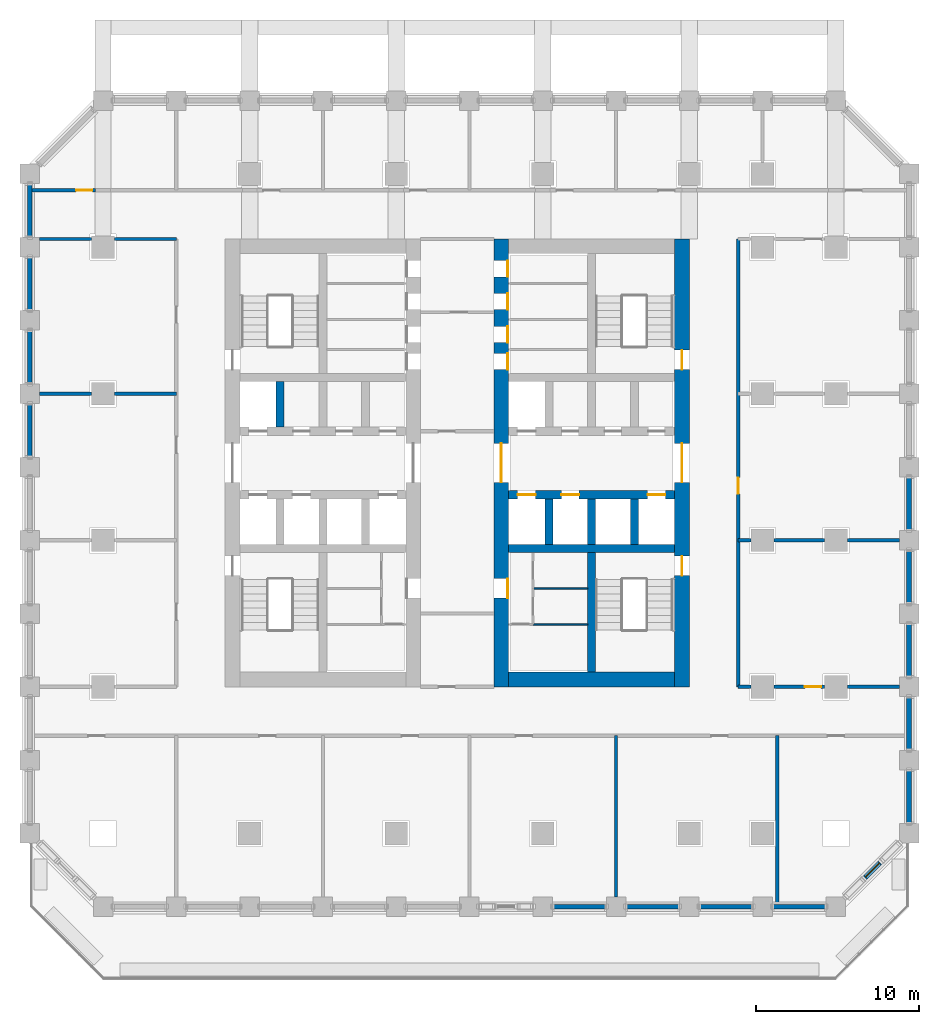
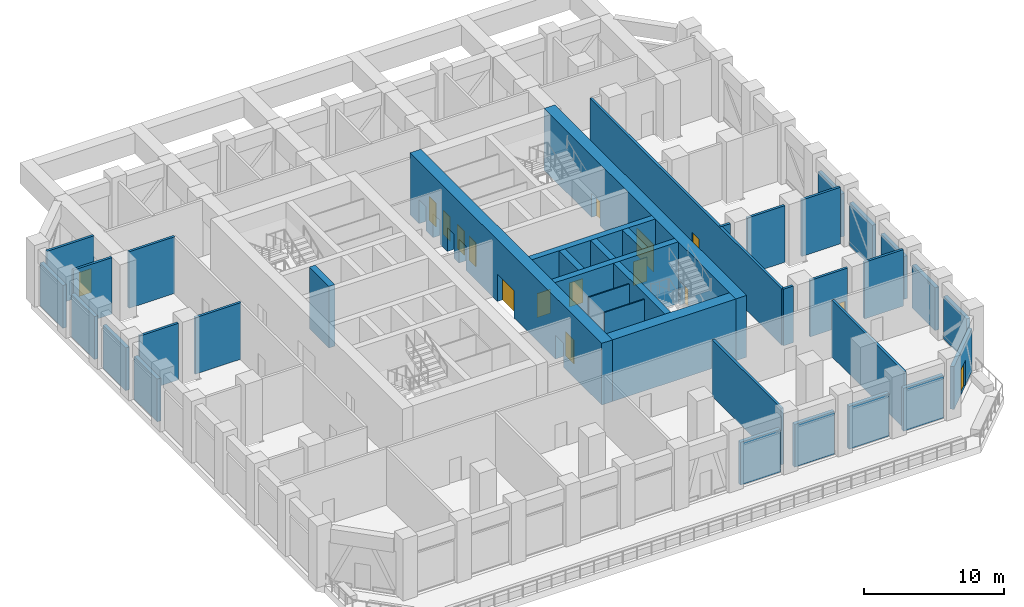
# One storey, part 5 of 20: 40 walls, 16 doors, 16 openings.
"""IFC4 building model written with IfcOpenShell, lengths in metres."""

from ifc_helpers import new_model, si_unit, direction, frame, frame_2d, origin, place, context, subcontext, project, spatial, rectangle, extrude, material, layer, layer_set, type_object, element, fill, save


model = new_model("IFC4")

# Units and contexts
model_context = context("Model", 3, precision=1e-05, world=origin(), true_north=direction((0.0, 1.0)))
body_context = subcontext(model_context, "Body", "Model", "MODEL_VIEW")
ifc_project = project(units=[si_unit("LENGTHUNIT", "METRE"), si_unit("AREAUNIT", "SQUARE_METRE"), si_unit("VOLUMEUNIT", "CUBIC_METRE"), si_unit("PLANEANGLEUNIT", "RADIAN"), si_unit("MASSUNIT", "GRAM", prefix="KILO")], contexts=[model_context])

# Site, building, storey
site_placement = place(None, origin())
site = spatial("IfcSite", under=ifc_project, at=site_placement, CompositionType="ELEMENT")
building_placement = place(site_placement, origin())
building = spatial("IfcBuilding", under=site, at=building_placement, Name="Corbel Stack Research Tower", CompositionType="ELEMENT")
storey_placement = place(building_placement, frame((0.0, 0.0, 76.60009765625)))
storey = spatial("IfcBuildingStorey", under=building, at=storey_placement, Name="L17", CompositionType="ELEMENT", Elevation=76.60009765625)

# Walls
ifc_material_1 = material(Name="Concrete C70/85", Category="concrete")
ifc_layer_1 = layer(ifc_material_1, 0.5)
ifc_layer_set_1 = layer_set([ifc_layer_1], Name="Concrete C70/85")
wall_type_1 = type_object("IfcWallType", Name="CW-500-70", PredefinedType="SHEAR", material=ifc_layer_set_1)
wall_1_placement = place(storey_placement, frame((-7.125, 6.949951171875, 0.0), z_axis=(0.0, 0.0, 1.0), x_axis=(0.0, 1.0, 0.0)))
element("IfcWall", 1, at=wall_1_placement, inside=storey, type_object=wall_type_1, Name="West core wall, north shaft 1 L17", PredefinedType="SHEAR", context=body_context, shape_type="SweptSolid", body=[
    extrude(rectangle(XDim=2.800048828125, YDim=0.5, at=frame_2d((1.39990234375, 0.0))), origin(), (0.0, 0.0, 1.0), 5.39990234375),
])
wall_2_placement = place(storey_placement, frame((6.89990234375, -0.5, 0.0), z_axis=(0.0, 0.0, 1.0), x_axis=(1.0, 0.0, 0.0)))
element("IfcWall", 2, at=wall_2_placement, inside=storey, type_object=wall_type_1, Name="East core wall, south row back L17", PredefinedType="SHEAR", context=body_context, shape_type="SweptSolid", body=[
    extrude(rectangle(XDim=10.2001953125, YDim=0.5, at=frame_2d((5.10009765625, 0.0))), origin(), (0.0, 0.0, 1.0), 5.39990234375),
])

# Wall, openings, doors
wall_3_placement = place(storey_placement, frame((6.89990234375, 2.800048828125, 0.0), z_axis=(0.0, 0.0, 1.0), x_axis=(1.0, 0.0, 0.0)))
wall_3 = element("IfcWall", 3, at=wall_3_placement, inside=storey, type_object=wall_type_1, Name="East core wall, lobby south L17", PredefinedType="SHEAR", context=body_context, shape_type="SweptSolid", body=[
    extrude(rectangle(XDim=10.2001953125, YDim=0.5, at=frame_2d((5.10009765625, 0.0))), origin(), (0.0, 0.0, 1.0), 5.39990234375),
])
opening_1_placement = place(wall_3_placement, frame((0.5625, 0.0, 0.0)))
opening_1 = element("IfcOpeningElement", 4, at=opening_1_placement, cuts=wall_3, Name="Opening LD-FS2", PredefinedType="OPENING", context=body_context, shape_type="SweptSolid", body=[
    extrude(rectangle(XDim=1.10009765625, YDim=2.10009765625, at=frame_2d((0.550048828125, 1.050048828125))), frame((0.0, 0.260009765625, 0.0), z_axis=(0.0, -1.0, 0.0), x_axis=(1.0, 0.0, 0.0)), (0.0, 0.0, 1.0), 0.52001953125),
])
opening_2_placement = place(wall_3_placement, frame((3.237548828125, 0.0, 0.0)))
opening_2 = element("IfcOpeningElement", 5, at=opening_2_placement, cuts=wall_3, Name="Opening LD-GL2", PredefinedType="OPENING", context=body_context, shape_type="SweptSolid", body=[
    extrude(rectangle(XDim=1.10009765625, YDim=2.10009765625, at=frame_2d((0.550048828125, 1.050048828125))), frame((0.0, 0.260009765625, 0.0), z_axis=(0.0, -1.0, 0.0), x_axis=(1.0, 0.0, 0.0)), (0.0, 0.0, 1.0), 0.52001953125),
])
opening_3_placement = place(wall_3_placement, frame((8.53759765625, 0.0, 0.0)))
opening_3 = element("IfcOpeningElement", 6, at=opening_3_placement, cuts=wall_3, Name="Opening LD-LR3", PredefinedType="OPENING", context=body_context, shape_type="SweptSolid", body=[
    extrude(rectangle(XDim=1.10009765625, YDim=2.10009765625, at=frame_2d((0.550048828125, 1.050048828125))), frame((0.0, 0.260009765625, 0.0), z_axis=(0.0, -1.0, 0.0), x_axis=(1.0, 0.0, 0.0)), (0.0, 0.0, 1.0), 0.52001953125),
])
ifc_material_2 = material(Name="Stainless steel landing door", Category="steel")
door_type_1 = type_object("IfcDoorType", Name="Lift landing door 1100 x 2100", OperationType="DOUBLE_DOOR_SLIDING", PredefinedType="DOOR", material=ifc_material_2)
door_1_placement = place(opening_1_placement, origin())
door_1 = element("IfcDoor", 7, at=door_1_placement, inside=storey, type_object=door_type_1, Name="Landing door FS2", OperationType="DOUBLE_DOOR_SLIDING", OverallHeight=2.10009765625, OverallWidth=1.10009765625, PredefinedType="DOOR", context=body_context, shape_type="SweptSolid", body=[
    extrude(rectangle(XDim=1.10009765625, YDim=2.10009765625, at=frame_2d((0.550048828125, 1.050048828125))), frame((0.0, 0.02490234375, 0.0), z_axis=(0.0, -1.0, 0.0), x_axis=(1.0, 0.0, 0.0)), (0.0, 0.0, 1.0), 0.050048828125),
])
fill(opening_1, door_1)
door_2_placement = place(opening_2_placement, origin())
door_2 = element("IfcDoor", 8, at=door_2_placement, inside=storey, type_object=door_type_1, Name="Landing door GL2", OperationType="DOUBLE_DOOR_SLIDING", OverallHeight=2.10009765625, OverallWidth=1.10009765625, PredefinedType="DOOR", context=body_context, shape_type="SweptSolid", body=[
    extrude(rectangle(XDim=1.10009765625, YDim=2.10009765625, at=frame_2d((0.550048828125, 1.050048828125))), frame((0.0, 0.02490234375, 0.0), z_axis=(0.0, -1.0, 0.0), x_axis=(1.0, 0.0, 0.0)), (0.0, 0.0, 1.0), 0.050048828125),
])
fill(opening_2, door_2)
door_3_placement = place(opening_3_placement, origin())
door_3 = element("IfcDoor", 9, at=door_3_placement, inside=storey, type_object=door_type_1, Name="Landing door LR3", OperationType="DOUBLE_DOOR_SLIDING", OverallHeight=2.10009765625, OverallWidth=1.10009765625, PredefinedType="DOOR", context=body_context, shape_type="SweptSolid", body=[
    extrude(rectangle(XDim=1.10009765625, YDim=2.10009765625, at=frame_2d((0.550048828125, 1.050048828125))), frame((0.0, 0.02490234375, 0.0), z_axis=(0.0, -1.0, 0.0), x_axis=(1.0, 0.0, 0.0)), (0.0, 0.0, 1.0), 0.050048828125),
])
fill(opening_3, door_3)

# Walls
for number, where, z_axis, x_axis, name in (
    (10, (9.375, -0.25, 0.0), (0.0, 0.0, 1.0), (0.0, 1.0, 0.0), "East core wall, south shaft 1 L17"),
    (11, (12.0, -0.25, 0.0), (0.0, 0.0, 1.0), (0.0, 1.0, 0.0), "East core wall, south shaft 2 L17"),
    (12, (14.625, -0.25, 0.0), (0.0, 0.0, 1.0), (0.0, 1.0, 0.0), "East core wall, south shaft 3 L17"),
):
    element("IfcWall", number, at=place(storey_placement, frame(where, z_axis=z_axis, x_axis=x_axis)), inside=storey, type_object=wall_type_1, Name=name, PredefinedType="SHEAR", context=body_context, shape_type="SweptSolid", body=[
        extrude(rectangle(XDim=2.800048828125, YDim=0.5, at=frame_2d((1.39990234375, 0.0))), origin(), (0.0, 0.0, 1.0), 5.39990234375),
    ])
wall_4_placement = place(storey_placement, frame((12.0, -8.10009765625, 0.0), z_axis=(0.0, 0.0, 1.0), x_axis=(0.0, 1.0, 0.0)))
element("IfcWall", 13, at=wall_4_placement, inside=storey, type_object=wall_type_1, Name="East core wall, south stair and WC L17", PredefinedType="SHEAR", context=body_context, shape_type="SweptSolid", body=[
    extrude(rectangle(XDim=7.35009765625, YDim=0.5, at=frame_2d((3.675048828125, 0.0))), origin(), (0.0, 0.0, 1.0), 5.39990234375),
])

# Wall, openings, doors
ifc_material_3 = material(Name="Concrete C70/85", Category="concrete")
ifc_layer_2 = layer(ifc_material_3, 0.89990234375)
ifc_layer_set_2 = layer_set([ifc_layer_2], Name="Concrete C70/85")
wall_type_2 = type_object("IfcWallType", Name="CW-900-70", PredefinedType="SHEAR", material=ifc_layer_set_2)
wall_5_placement = place(storey_placement, frame((6.449951171875, -9.0, 0.0), z_axis=(0.0, 0.0, 1.0), x_axis=(0.0, 1.0, 0.0)))
wall_5 = element("IfcWall", 14, at=wall_5_placement, inside=storey, type_object=wall_type_2, Name="East core wall, west face L17", PredefinedType="SHEAR", context=body_context, shape_type="SweptSolid", body=[
    extrude(rectangle(XDim=27.5, YDim=0.89990234375, at=frame_2d((13.75, 0.0))), origin(), (0.0, 0.0, 1.0), 5.39990234375),
])
opening_4_placement = place(wall_5_placement, frame((12.550048828125, 0.0, 0.0)))
opening_4 = element("IfcOpeningElement", 15, at=opening_4_placement, cuts=wall_5, Name="Opening CD-E-W", PredefinedType="OPENING", context=body_context, shape_type="SweptSolid", body=[
    extrude(rectangle(XDim=2.39990234375, YDim=2.39990234375, at=frame_2d((1.199951171875, 1.199951171875))), frame((0.0, 0.4599609375, 0.0), z_axis=(0.0, -1.0, 0.0), x_axis=(1.0, 0.0, 0.0)), (0.0, 0.0, 1.0), 0.919921875),
])
opening_5_placement = place(wall_5_placement, frame((5.445068359375, 0.0, 0.0)))
opening_5 = element("IfcOpeningElement", 16, at=opening_5_placement, cuts=wall_5, Name="Opening CR-E66-W1-1200", PredefinedType="OPENING", context=body_context, shape_type="SweptSolid", body=[
    extrude(rectangle(XDim=1.199951171875, YDim=2.10009765625, at=frame_2d((0.60009765625, 1.050048828125))), frame((0.0, 0.4599609375, 0.0), z_axis=(0.0, -1.0, 0.0), x_axis=(1.0, 0.0, 0.0)), (0.0, 0.0, 1.0), 0.919921875),
])
opening_6_placement = place(wall_5_placement, frame((19.485107421875, 0.0, 0.0)))
opening_6 = element("IfcOpeningElement", 17, at=opening_6_placement, cuts=wall_5, Name="Opening CR-E66-R1-1000", PredefinedType="OPENING", context=body_context, shape_type="SweptSolid", body=[
    extrude(rectangle(XDim=1.0, YDim=2.10009765625, at=frame_2d((0.5, 1.050048828125))), frame((0.0, 0.4599609375, 0.0), z_axis=(0.0, -1.0, 0.0), x_axis=(1.0, 0.0, 0.0)), (0.0, 0.0, 1.0), 0.919921875),
])
opening_7_placement = place(wall_5_placement, frame((21.138916015625, 0.0, 0.0)))
opening_7 = element("IfcOpeningElement", 18, at=opening_7_placement, cuts=wall_5, Name="Opening CR-E66-R2-1000", PredefinedType="OPENING", context=body_context, shape_type="SweptSolid", body=[
    extrude(rectangle(XDim=1.0, YDim=2.10009765625, at=frame_2d((0.5, 1.050048828125))), frame((0.0, 0.4599609375, 0.0), z_axis=(0.0, -1.0, 0.0), x_axis=(1.0, 0.0, 0.0)), (0.0, 0.0, 1.0), 0.919921875),
])
opening_8_placement = place(wall_5_placement, frame((23.159912109375, 0.0, 0.0)))
opening_8 = element("IfcOpeningElement", 19, at=opening_8_placement, cuts=wall_5, Name="Opening CR-E66-R3-1000", PredefinedType="OPENING", context=body_context, shape_type="SweptSolid", body=[
    extrude(rectangle(XDim=1.0, YDim=2.10009765625, at=frame_2d((0.5, 1.050048828125))), frame((0.0, 0.4599609375, 0.0), z_axis=(0.0, -1.0, 0.0), x_axis=(1.0, 0.0, 0.0)), (0.0, 0.0, 1.0), 0.919921875),
])
opening_9_placement = place(wall_5_placement, frame((25.18115234375, 0.0, 0.0)))
opening_9 = element("IfcOpeningElement", 20, at=opening_9_placement, cuts=wall_5, Name="Opening CR-E66-R4-1000", PredefinedType="OPENING", context=body_context, shape_type="SweptSolid", body=[
    extrude(rectangle(XDim=1.0, YDim=2.10009765625, at=frame_2d((0.5, 1.050048828125))), frame((0.0, 0.4599609375, 0.0), z_axis=(0.0, -1.0, 0.0), x_axis=(1.0, 0.0, 0.0)), (0.0, 0.0, 1.0), 0.919921875),
])
ifc_material_4 = material(Name="Painted steel fire door", Category="steel")
door_type_2 = type_object("IfcDoorType", Name="Lobby door pair 2400 x 2400 FD30S", OperationType="DOUBLE_DOOR_DOUBLE_SWING", PredefinedType="DOOR", material=ifc_material_4)
door_4_placement = place(opening_4_placement, origin())
door_4 = element("IfcDoor", 21, at=door_4_placement, inside=storey, type_object=door_type_2, Name="Lift lobby door E core W", OperationType="DOUBLE_DOOR_DOUBLE_SWING", OverallHeight=2.39990234375, OverallWidth=2.39990234375, PredefinedType="DOOR", context=body_context, shape_type="SweptSolid", body=[
    extrude(rectangle(XDim=2.39990234375, YDim=2.39990234375, at=frame_2d((1.199951171875, 1.199951171875))), frame((0.0, 0.02490234375, 0.0), z_axis=(0.0, -1.0, 0.0), x_axis=(1.0, 0.0, 0.0)), (0.0, 0.0, 1.0), 0.050048828125),
])
fill(opening_4, door_4)
ifc_material_5 = material(Name="Painted steel door", Category="steel")
door_type_3 = type_object("IfcDoorType", Name="Riser door 1000 x 2100 FD60 left hand", OperationType="SINGLE_SWING_LEFT", PredefinedType="DOOR", material=ifc_material_5)
door_5_placement = place(opening_7_placement, origin())
door_5 = element("IfcDoor", 22, at=door_5_placement, inside=storey, type_object=door_type_3, Name="Telecom plant room door E core", OperationType="SINGLE_SWING_LEFT", OverallHeight=2.10009765625, OverallWidth=1.0, PredefinedType="DOOR", context=body_context, shape_type="SweptSolid", body=[
    extrude(rectangle(XDim=1.0, YDim=2.10009765625, at=frame_2d((0.5, 1.050048828125))), frame((0.0, -0.375, 0.0), z_axis=(0.0, -1.0, 0.0), x_axis=(1.0, 0.0, 0.0)), (0.0, 0.0, 1.0), 0.050048828125),
])
fill(opening_7, door_5)
ifc_material_6 = material(Name="Painted steel door", Category="steel")
door_type_4 = type_object("IfcDoorType", Name="Riser door 1000 x 2100 FD60 right hand", OperationType="SINGLE_SWING_RIGHT", PredefinedType="DOOR", material=ifc_material_6)
door_6_placement = place(opening_6_placement, origin())
door_6 = element("IfcDoor", 23, at=door_6_placement, inside=storey, type_object=door_type_4, Name="Electrical plant riser door E core", OperationType="SINGLE_SWING_RIGHT", OverallHeight=2.10009765625, OverallWidth=1.0, PredefinedType="DOOR", context=body_context, shape_type="SweptSolid", body=[
    extrude(rectangle(XDim=1.0, YDim=2.10009765625, at=frame_2d((0.5, 1.050048828125))), frame((0.0, -0.375, 0.0), z_axis=(0.0, -1.0, 0.0), x_axis=(1.0, 0.0, 0.0)), (0.0, 0.0, 1.0), 0.050048828125),
])
fill(opening_6, door_6)
ifc_material_7 = material(Name="Painted steel door", Category="steel")
door_type_5 = type_object("IfcDoorType", Name="Service door 1000 x 2100 FD30 left hand", OperationType="SINGLE_SWING_LEFT", PredefinedType="DOOR", material=ifc_material_7)
door_7_placement = place(opening_9_placement, origin())
door_7 = element("IfcDoor", 24, at=door_7_placement, inside=storey, type_object=door_type_5, Name="Cleaner's store door E core", OperationType="SINGLE_SWING_LEFT", OverallHeight=2.10009765625, OverallWidth=1.0, PredefinedType="DOOR", context=body_context, shape_type="SweptSolid", body=[
    extrude(rectangle(XDim=1.0, YDim=2.10009765625, at=frame_2d((0.5, 1.050048828125))), frame((0.0, -0.375, 0.0), z_axis=(0.0, -1.0, 0.0), x_axis=(1.0, 0.0, 0.0)), (0.0, 0.0, 1.0), 0.050048828125),
])
fill(opening_9, door_7)
ifc_material_8 = material(Name="Painted steel door", Category="steel")
door_type_6 = type_object("IfcDoorType", Name="Service door 1000 x 2100 FD30 right hand", OperationType="SINGLE_SWING_RIGHT", PredefinedType="DOOR", material=ifc_material_8)
door_8_placement = place(opening_8_placement, origin())
door_8 = element("IfcDoor", 25, at=door_8_placement, inside=storey, type_object=door_type_6, Name="Pantry door E core", OperationType="SINGLE_SWING_RIGHT", OverallHeight=2.10009765625, OverallWidth=1.0, PredefinedType="DOOR", context=body_context, shape_type="SweptSolid", body=[
    extrude(rectangle(XDim=1.0, YDim=2.10009765625, at=frame_2d((0.5, 1.050048828125))), frame((0.0, -0.375, 0.0), z_axis=(0.0, -1.0, 0.0), x_axis=(1.0, 0.0, 0.0)), (0.0, 0.0, 1.0), 0.050048828125),
])
fill(opening_8, door_8)
ifc_material_9 = material(Name="Painted timber door", Category="wood")
door_type_7 = type_object("IfcDoorType", Name="WC door 1200 x 2100 right hand", OperationType="SINGLE_SWING_RIGHT", PredefinedType="DOOR", material=ifc_material_9)
door_9_placement = place(opening_5_placement, origin())
door_9 = element("IfcDoor", 26, at=door_9_placement, inside=storey, type_object=door_type_7, Name="WC lobby door E core", OperationType="SINGLE_SWING_RIGHT", OverallHeight=2.10009765625, OverallWidth=1.199951171875, PredefinedType="DOOR", context=body_context, shape_type="SweptSolid", body=[
    extrude(rectangle(XDim=1.199951171875, YDim=2.10009765625, at=frame_2d((0.60009765625, 1.050048828125))), frame((0.0, -0.375, 0.0), z_axis=(0.0, -1.0, 0.0), x_axis=(1.0, 0.0, 0.0)), (0.0, 0.0, 1.0), 0.050048828125),
])
fill(opening_5, door_9)

wall_6_placement = place(storey_placement, frame((17.550048828125, -9.0, 0.0), z_axis=(0.0, 0.0, 1.0), x_axis=(0.0, 1.0, 0.0)))
wall_6 = element("IfcWall", 27, at=wall_6_placement, inside=storey, type_object=wall_type_2, Name="East core wall, east face L17", PredefinedType="SHEAR", context=body_context, shape_type="SweptSolid", body=[
    extrude(rectangle(XDim=27.5, YDim=0.89990234375, at=frame_2d((13.75, 0.0))), origin(), (0.0, 0.0, 1.0), 5.39990234375),
])
opening_10_placement = place(wall_6_placement, frame((12.550048828125, 0.0, 0.0)))
opening_10 = element("IfcOpeningElement", 28, at=opening_10_placement, cuts=wall_6, Name="Opening CD-E-E", PredefinedType="OPENING", context=body_context, shape_type="SweptSolid", body=[
    extrude(rectangle(XDim=2.39990234375, YDim=2.39990234375, at=frame_2d((1.199951171875, 1.199951171875))), frame((0.0, 0.4599609375, 0.0), z_axis=(0.0, -1.0, 0.0), x_axis=(1.0, 0.0, 0.0)), (0.0, 0.0, 1.0), 0.919921875),
])
opening_11_placement = place(wall_6_placement, frame((6.824951171875, 0.0, 0.0)))
opening_11 = element("IfcOpeningElement", 29, at=opening_11_placement, cuts=wall_6, Name="Opening SD-ST-E1", PredefinedType="OPENING", context=body_context, shape_type="SweptSolid", body=[
    extrude(rectangle(XDim=1.199951171875, YDim=2.10009765625, at=frame_2d((0.60009765625, 1.050048828125))), frame((0.0, 0.4599609375, 0.0), z_axis=(0.0, -1.0, 0.0), x_axis=(1.0, 0.0, 0.0)), (0.0, 0.0, 1.0), 0.919921875),
])
opening_12_placement = place(wall_6_placement, frame((19.47509765625, 0.0, 0.0)))
opening_12 = element("IfcOpeningElement", 30, at=opening_12_placement, cuts=wall_6, Name="Opening SD-ST-E2", PredefinedType="OPENING", context=body_context, shape_type="SweptSolid", body=[
    extrude(rectangle(XDim=1.199951171875, YDim=2.10009765625, at=frame_2d((0.60009765625, 1.050048828125))), frame((0.0, 0.4599609375, 0.0), z_axis=(0.0, -1.0, 0.0), x_axis=(1.0, 0.0, 0.0)), (0.0, 0.0, 1.0), 0.919921875),
])
door_10_placement = place(opening_10_placement, origin())
door_10 = element("IfcDoor", 31, at=door_10_placement, inside=storey, type_object=door_type_2, Name="Lift lobby door E core E", OperationType="DOUBLE_DOOR_DOUBLE_SWING", OverallHeight=2.39990234375, OverallWidth=2.39990234375, PredefinedType="DOOR", context=body_context, shape_type="SweptSolid", body=[
    extrude(rectangle(XDim=2.39990234375, YDim=2.39990234375, at=frame_2d((1.199951171875, 1.199951171875))), frame((0.0, 0.02490234375, 0.0), z_axis=(0.0, -1.0, 0.0), x_axis=(1.0, 0.0, 0.0)), (0.0, 0.0, 1.0), 0.050048828125),
])
fill(opening_10, door_10)
ifc_material_10 = material(Name="Painted steel fire door", Category="steel")
door_type_8 = type_object("IfcDoorType", Name="Stair door 1200 x 2100 FD90 right hand", OperationType="SINGLE_SWING_RIGHT", PredefinedType="DOOR", material=ifc_material_10)
door_11_placement = place(opening_11_placement, frame((1.199951171875, 0.0, 0.0), z_axis=(0.0, 0.0, 1.0), x_axis=(-1.0, 0.0, 0.0)))
door_11 = element("IfcDoor", 32, at=door_11_placement, inside=storey, type_object=door_type_8, Name="Stair door ST-E1", OperationType="SINGLE_SWING_LEFT", OverallHeight=2.10009765625, OverallWidth=1.199951171875, PredefinedType="DOOR", context=body_context, shape_type="SweptSolid", body=[
    extrude(rectangle(XDim=1.199951171875, YDim=2.10009765625, at=frame_2d((0.60009765625, 1.050048828125))), frame((0.0, 0.02490234375, 0.0), z_axis=(0.0, -1.0, 0.0), x_axis=(1.0, 0.0, 0.0)), (0.0, 0.0, 1.0), 0.050048828125),
])
fill(opening_11, door_11)
door_12_placement = place(opening_12_placement, frame((1.199951171875, 0.0, 0.0), z_axis=(0.0, 0.0, 1.0), x_axis=(-1.0, 0.0, 0.0)))
door_12 = element("IfcDoor", 33, at=door_12_placement, inside=storey, type_object=door_type_8, Name="Stair door ST-E2", OperationType="SINGLE_SWING_LEFT", OverallHeight=2.10009765625, OverallWidth=1.199951171875, PredefinedType="DOOR", context=body_context, shape_type="SweptSolid", body=[
    extrude(rectangle(XDim=1.199951171875, YDim=2.10009765625, at=frame_2d((0.60009765625, 1.050048828125))), frame((0.0, 0.02490234375, 0.0), z_axis=(0.0, -1.0, 0.0), x_axis=(1.0, 0.0, 0.0)), (0.0, 0.0, 1.0), 0.050048828125),
])
fill(opening_12, door_12)

# Walls
wall_7_placement = place(storey_placement, frame((6.89990234375, -8.550048828125, 0.0), z_axis=(0.0, 0.0, 1.0), x_axis=(1.0, 0.0, 0.0)))
element("IfcWall", 34, at=wall_7_placement, inside=storey, type_object=wall_type_2, Name="East core wall, south end L17", PredefinedType="SHEAR", context=body_context, shape_type="SweptSolid", body=[
    extrude(rectangle(XDim=10.2001953125, YDim=0.89990234375, at=frame_2d((5.10009765625, 0.0))), origin(), (0.0, 0.0, 1.0), 5.39990234375),
])
ifc_material_11 = material(Name="Gypsum board")
ifc_layer_3 = layer(ifc_material_11, 0.10009765625)
ifc_layer_set_3 = layer_set([ifc_layer_3], Name="Gypsum board")
wall_type_3 = type_object("IfcWallType", Name="Core partition 100", PredefinedType="PARTITIONING", material=ifc_layer_set_3)
for number, where, z_axis, x_axis, name in (
    (35, (8.39990234375, -5.159912109375, 0.0), (0.0, 0.0, 1.0), (1.0, 0.0, 0.0), "Core partition E"),
    (36, (8.39990234375, -2.955078125, 0.0), (0.0, 0.0, 1.0), (1.0, 0.0, 0.0), "Core partition E"),
):
    element("IfcWall", number, at=place(storey_placement, frame(where, z_axis=z_axis, x_axis=x_axis)), inside=storey, type_object=wall_type_3, Name=name, PredefinedType="PARTITIONING", context=body_context, shape_type="SweptSolid", body=[
        extrude(rectangle(XDim=3.35009765625, YDim=0.10009765625, at=frame_2d((1.675048828125, 0.0))), origin(), (0.0, 0.0, 1.0), 4.949951171875),
    ])
ifc_material_12 = material(Name="Fire-rated gypsum board partition on steel studs", Category="steel")
ifc_layer_4 = layer(ifc_material_12, 0.199951171875)
ifc_layer_set_4 = layer_set([ifc_layer_4], Name="Fire-rated gypsum board partition on steel studs")
wall_type_4 = type_object("IfcWallType", Name="Fire-rated partition 200 EI 60", PredefinedType="PARTITIONING", material=ifc_layer_set_4)
wall_8_placement = place(storey_placement, frame((13.5, -21.89990234375, 0.0), z_axis=(0.0, 0.0, 1.0), x_axis=(0.0, 1.0, 0.0)))
element("IfcWall", 37, at=wall_8_placement, inside=storey, type_object=wall_type_4, Name="Partition L17-008", PredefinedType="PARTITIONING", context=body_context, shape_type="SweptSolid", body=[
    extrude(rectangle(XDim=9.89990234375, YDim=0.199951171875, at=frame_2d((4.949951171875, 0.0))), origin(), (0.0, 0.0, 1.0), 4.949951171875),
])

# Wall, opening, door
wall_9_placement = place(storey_placement, frame((21.0, 18.5, 0.0), z_axis=(0.0, 0.0, 1.0), x_axis=(0.0, -1.0, 0.0)))
wall_9 = element("IfcWall", 38, at=wall_9_placement, inside=storey, type_object=wall_type_4, Name="Partition L17-010", PredefinedType="PARTITIONING", context=body_context, shape_type="SweptSolid", body=[
    extrude(rectangle(XDim=27.5, YDim=0.199951171875, at=frame_2d((13.75, 0.0))), origin(), (0.0, 0.0, 1.0), 4.949951171875),
])
opening_13_placement = place(wall_9_placement, frame((14.64990234375, 0.0, 0.0)))
opening_13 = element("IfcOpeningElement", 39, at=opening_13_placement, cuts=wall_9, Name="Opening PLANTL17-015", PredefinedType="OPENING", context=body_context, shape_type="SweptSolid", body=[
    extrude(rectangle(XDim=1.0, YDim=2.10009765625, at=frame_2d((0.5, 1.050048828125))), frame((0.0, 0.10986328125, 0.0), z_axis=(0.0, -1.0, 0.0), x_axis=(1.0, 0.0, 0.0)), (0.0, 0.0, 1.0), 0.219970703125),
])
ifc_material_13 = material(Name="Painted steel fire door", Category="steel")
door_type_9 = type_object("IfcDoorType", Name="Fire door FD30S 1000 x 2100", OperationType="NOTDEFINED", PredefinedType="DOOR", material=ifc_material_13)
door_13_placement = place(opening_13_placement, origin())
door_13 = element("IfcDoor", 40, at=door_13_placement, inside=storey, type_object=door_type_9, Name="Door PLANTL17-015", OperationType="SINGLE_SWING_RIGHT", OverallHeight=2.10009765625, OverallWidth=1.0, PredefinedType="DOOR", context=body_context, shape_type="SweptSolid", body=[
    extrude(rectangle(XDim=1.0, YDim=2.10009765625, at=frame_2d((0.5, 1.050048828125))), frame((0.0, 0.02490234375, 0.0), z_axis=(0.0, -1.0, 0.0), x_axis=(1.0, 0.0, 0.0)), (0.0, 0.0, 1.0), 0.050048828125),
])
fill(opening_13, door_13)

# Walls
wall_10_placement = place(storey_placement, frame((23.39990234375, -22.35009765625, 0.0), z_axis=(0.0, 0.0, 1.0), x_axis=(0.0, 1.0, 0.0)))
element("IfcWall", 41, at=wall_10_placement, inside=storey, type_object=wall_type_4, Name="Partition L17-012", PredefinedType="PARTITIONING", context=body_context, shape_type="SweptSolid", body=[
    extrude(rectangle(XDim=10.35009765625, YDim=0.199951171875, at=frame_2d((5.175048828125, 0.0))), origin(), (0.0, 0.0, 1.0), 4.949951171875),
])
wall_11_placement = place(storey_placement, frame((21.0, -9.0, 0.0), z_axis=(0.0, 0.0, 1.0), x_axis=(1.0, 0.0, 0.0)))
element("IfcWall", 42, at=wall_11_placement, inside=storey, type_object=wall_type_4, Name="Partition L17-017", PredefinedType="PARTITIONING", context=body_context, shape_type="SweptSolid", body=[
    extrude(rectangle(XDim=0.800048828125, YDim=0.199951171875, at=frame_2d((0.39990234375, 0.0))), origin(), (0.0, 0.0, 1.0), 4.949951171875),
])

# Wall, opening, door
wall_12_placement = place(storey_placement, frame((23.199951171875, -9.0, 0.0), z_axis=(0.0, 0.0, 1.0), x_axis=(1.0, 0.0, 0.0)))
wall_12 = element("IfcWall", 43, at=wall_12_placement, inside=storey, type_object=wall_type_4, Name="Partition L17-018", PredefinedType="PARTITIONING", context=body_context, shape_type="SweptSolid", body=[
    extrude(rectangle(XDim=3.10009765625, YDim=0.199951171875, at=frame_2d((1.550048828125, 0.0))), origin(), (0.0, 0.0, 1.0), 4.949951171875),
])
opening_14_placement = place(wall_12_placement, frame((1.89990234375, 0.0, 0.0)))
opening_14 = element("IfcOpeningElement", 44, at=opening_14_placement, cuts=wall_12, Name="Opening PLANTL17-011", PredefinedType="OPENING", context=body_context, shape_type="SweptSolid", body=[
    extrude(rectangle(XDim=1.0, YDim=2.10009765625, at=frame_2d((0.5, 1.050048828125))), frame((0.0, 0.10986328125, 0.0), z_axis=(0.0, -1.0, 0.0), x_axis=(1.0, 0.0, 0.0)), (0.0, 0.0, 1.0), 0.219970703125),
])
door_14_placement = place(opening_14_placement, origin())
door_14 = element("IfcDoor", 45, at=door_14_placement, inside=storey, type_object=door_type_9, Name="Door PLANTL17-011", OperationType="SINGLE_SWING_RIGHT", OverallHeight=2.10009765625, OverallWidth=1.0, PredefinedType="DOOR", context=body_context, shape_type="SweptSolid", body=[
    extrude(rectangle(XDim=1.0, YDim=2.10009765625, at=frame_2d((0.5, 1.050048828125))), frame((0.0, 0.02490234375, 0.0), z_axis=(0.0, -1.0, 0.0), x_axis=(1.0, 0.0, 0.0)), (0.0, 0.0, 1.0), 0.050048828125),
])
fill(opening_14, door_14)

# Walls
wall_13_placement = place(storey_placement, frame((27.699951171875, -9.0, 0.0), z_axis=(0.0, 0.0, 1.0), x_axis=(1.0, 0.0, 0.0)))
element("IfcWall", 46, at=wall_13_placement, inside=storey, type_object=wall_type_4, Name="Partition L17-019", PredefinedType="PARTITIONING", context=body_context, shape_type="SweptSolid", body=[
    extrude(rectangle(XDim=3.199951171875, YDim=0.199951171875, at=frame_2d((1.60009765625, 0.0))), origin(), (0.0, 0.0, 1.0), 4.949951171875),
])
wall_14_placement = place(storey_placement, frame((21.0, 0.0, 0.0), z_axis=(0.0, 0.0, 1.0), x_axis=(1.0, 0.0, 0.0)))
element("IfcWall", 47, at=wall_14_placement, inside=storey, type_object=wall_type_4, Name="Partition L17-023", PredefinedType="PARTITIONING", context=body_context, shape_type="SweptSolid", body=[
    extrude(rectangle(XDim=0.800048828125, YDim=0.199951171875, at=frame_2d((0.39990234375, 0.0))), origin(), (0.0, 0.0, 1.0), 4.949951171875),
])
wall_15_placement = place(storey_placement, frame((23.199951171875, 0.0, 0.0), z_axis=(0.0, 0.0, 1.0), x_axis=(1.0, 0.0, 0.0)))
element("IfcWall", 48, at=wall_15_placement, inside=storey, type_object=wall_type_4, Name="Partition L17-024", PredefinedType="PARTITIONING", context=body_context, shape_type="SweptSolid", body=[
    extrude(rectangle(XDim=3.10009765625, YDim=0.199951171875, at=frame_2d((1.550048828125, 0.0))), origin(), (0.0, 0.0, 1.0), 4.949951171875),
])
for number, where, z_axis, x_axis, name in (
    (49, (27.699951171875, 0.0, 0.0), (0.0, 0.0, 1.0), (1.0, 0.0, 0.0), "Partition L17-025"),
    (50, (-21.89990234375, 9.0, 0.0), (0.0, 0.0, 1.0), (1.0, 0.0, 0.0), "Partition L17-027"),
):
    element("IfcWall", number, at=place(storey_placement, frame(where, z_axis=z_axis, x_axis=x_axis)), inside=storey, type_object=wall_type_4, Name=name, PredefinedType="PARTITIONING", context=body_context, shape_type="SweptSolid", body=[
        extrude(rectangle(XDim=3.199951171875, YDim=0.199951171875, at=frame_2d((1.60009765625, 0.0))), origin(), (0.0, 0.0, 1.0), 4.949951171875),
    ])
wall_16_placement = place(storey_placement, frame((-17.300048828125, 9.0, 0.0), z_axis=(0.0, 0.0, 1.0), x_axis=(1.0, 0.0, 0.0)))
element("IfcWall", 51, at=wall_16_placement, inside=storey, type_object=wall_type_4, Name="Partition L17-028", PredefinedType="PARTITIONING", context=body_context, shape_type="SweptSolid", body=[
    extrude(rectangle(XDim=3.800048828125, YDim=0.199951171875, at=frame_2d((1.89990234375, 0.0))), origin(), (0.0, 0.0, 1.0), 4.949951171875),
])
wall_17_placement = place(storey_placement, frame((-21.89990234375, 18.5, 0.0), z_axis=(0.0, 0.0, 1.0), x_axis=(1.0, 0.0, 0.0)))
element("IfcWall", 52, at=wall_17_placement, inside=storey, type_object=wall_type_4, Name="Partition L17-033", PredefinedType="PARTITIONING", context=body_context, shape_type="SweptSolid", body=[
    extrude(rectangle(XDim=3.199951171875, YDim=0.199951171875, at=frame_2d((1.60009765625, 0.0))), origin(), (0.0, 0.0, 1.0), 4.949951171875),
])
wall_18_placement = place(storey_placement, frame((-17.300048828125, 18.5, 0.0), z_axis=(0.0, 0.0, 1.0), x_axis=(1.0, 0.0, 0.0)))
element("IfcWall", 53, at=wall_18_placement, inside=storey, type_object=wall_type_4, Name="Partition L17-034", PredefinedType="PARTITIONING", context=body_context, shape_type="SweptSolid", body=[
    extrude(rectangle(XDim=3.800048828125, YDim=0.199951171875, at=frame_2d((1.89990234375, 0.0))), origin(), (0.0, 0.0, 1.0), 4.949951171875),
])

# Wall, opening, door
wall_19_placement = place(storey_placement, frame((-22.35009765625, 21.5, 0.0), z_axis=(0.0, 0.0, 1.0), x_axis=(1.0, 0.0, 0.0)))
wall_19 = element("IfcWall", 54, at=wall_19_placement, inside=storey, type_object=wall_type_4, Name="Partition L17-039", PredefinedType="PARTITIONING", context=body_context, shape_type="SweptSolid", body=[
    extrude(rectangle(XDim=3.900146484375, YDim=0.199951171875, at=frame_2d((1.9501953125, 0.0))), origin(), (0.0, 0.0, 1.0), 4.949951171875),
])
opening_15_placement = place(wall_19_placement, frame((2.699951171875, 0.0, 0.0)))
opening_15 = element("IfcOpeningElement", 55, at=opening_15_placement, cuts=wall_19, Name="Opening PLANTL17-016", PredefinedType="OPENING", context=body_context, shape_type="SweptSolid", body=[
    extrude(rectangle(XDim=1.0, YDim=2.10009765625, at=frame_2d((0.5, 1.050048828125))), frame((0.0, 0.10986328125, 0.0), z_axis=(0.0, -1.0, 0.0), x_axis=(1.0, 0.0, 0.0)), (0.0, 0.0, 1.0), 0.219970703125),
])
door_15_placement = place(opening_15_placement, origin())
door_15 = element("IfcDoor", 56, at=door_15_placement, inside=storey, type_object=door_type_9, Name="Door PLANTL17-016", OperationType="SINGLE_SWING_RIGHT", OverallHeight=2.10009765625, OverallWidth=1.0, PredefinedType="DOOR", context=body_context, shape_type="SweptSolid", body=[
    extrude(rectangle(XDim=1.0, YDim=2.10009765625, at=frame_2d((0.5, 1.050048828125))), frame((0.0, 0.02490234375, 0.0), z_axis=(0.0, -1.0, 0.0), x_axis=(1.0, 0.0, 0.0)), (0.0, 0.0, 1.0), 0.050048828125),
])
fill(opening_15, door_15)

# Walls
ifc_material_14 = material(Name="Concrete C45/55", Category="concrete")
ifc_layer_5 = layer(ifc_material_14, 0.300048828125)
ifc_layer_set_5 = layer_set([ifc_layer_5], Name="Concrete C45/55")
wall_type_5 = type_object("IfcWallType", Name="Terracotta-faced concrete wall 300", PredefinedType="SOLIDWALL", material=ifc_layer_set_5)
for number, where, z_axis, x_axis, name in (
    (57, (12.89990234375, -22.5, 0.0), (0.0, 0.0, 1.0), (-1.0, 0.0, 0.0), "Facade wall L17 S07"),
    (58, (17.39990234375, -22.5, 0.0), (0.0, 0.0, 1.0), (-1.0, 0.0, 0.0), "Facade wall L17 S08"),
    (59, (21.89990234375, -22.5, 0.0), (0.0, 0.0, 1.0), (-1.0, 0.0, 0.0), "Facade wall L17 S09"),
    (60, (26.39990234375, -22.5, 0.0), (0.0, 0.0, 1.0), (-1.0, 0.0, 0.0), "Facade wall L17 S10"),
):
    element("IfcWall", number, at=place(storey_placement, frame(where, z_axis=z_axis, x_axis=x_axis)), inside=storey, type_object=wall_type_5, Name=name, PredefinedType="SOLIDWALL", context=body_context, shape_type="SweptSolid", body=[
        extrude(rectangle(XDim=3.2998046875, YDim=0.300048828125, at=frame_2d((1.64990234375, 0.0))), origin(), (0.0, 0.0, 1.0), 3.75),
    ])

# Wall, opening, door
wall_20_placement = place(storey_placement, frame((31.006103515625, -18.493896484375, 0.0), z_axis=(0.0, 0.0, 1.0), x_axis=(-0.707106781187, -0.707106781187, 0.0)))
wall_20 = element("IfcWall", 61, at=wall_20_placement, inside=storey, type_object=wall_type_5, Name="Facade wall L17 SE01", PredefinedType="SOLIDWALL", context=body_context, shape_type="SweptSolid", body=[
    extrude(rectangle(XDim=4.967041015625, YDim=0.300048828125, at=frame_2d((2.4833984375, 0.0))), origin(), (0.0, 0.0, 1.0), 3.75),
])
opening_16_placement = place(wall_20_placement, frame((1.883544921875, 0.0, 0.0)))
opening_16 = element("IfcOpeningElement", 62, at=opening_16_placement, cuts=wall_20, Name="Opening L17-B02", PredefinedType="OPENING", context=body_context, shape_type="SweptSolid", body=[
    extrude(rectangle(XDim=1.199951171875, YDim=2.199951171875, at=frame_2d((0.60009765625, 1.10009765625))), frame((0.0, 0.159912109375, 0.0), z_axis=(0.0, -1.0, 0.0), x_axis=(1.0, 0.0, 0.0)), (0.0, 0.0, 1.0), 0.320068359375),
])
ifc_material_15 = material(Name="Aluminium frame, clear double glazing", Category="aluminium")
door_type_10 = type_object("IfcDoorType", Name="Balcony door BD2 1200 x 2200", OperationType="NOTDEFINED", PredefinedType="DOOR", material=ifc_material_15)
door_16_placement = place(opening_16_placement, origin())
door_16 = element("IfcDoor", 63, at=door_16_placement, inside=storey, type_object=door_type_10, Name="Balcony door L17-B02", OperationType="SINGLE_SWING_RIGHT", OverallHeight=2.199951171875, OverallWidth=1.199951171875, PredefinedType="DOOR", context=body_context, shape_type="SweptSolid", body=[
    extrude(rectangle(XDim=1.199951171875, YDim=2.199951171875, at=frame_2d((0.60009765625, 1.10009765625))), frame((0.0, 0.02490234375, 0.0), z_axis=(0.0, -1.0, 0.0), x_axis=(1.0, 0.0, 0.0)), (0.0, 0.0, 1.0), 0.050048828125),
])
fill(opening_16, door_16)

# Walls
for number, where, z_axis, x_axis, name in (
    (64, (31.5, -14.10009765625, 0.0), (0.0, 0.0, 1.0), (0.0, -1.0, 0.0), "Facade wall L17 E01"),
    (65, (31.5, -9.60009765625, 0.0), (0.0, 0.0, 1.0), (0.0, -1.0, 0.0), "Facade wall L17 E02"),
    (66, (31.5, -5.10009765625, 0.0), (0.0, 0.0, 1.0), (0.0, -1.0, 0.0), "Facade wall L17 E03"),
    (67, (31.5, -0.60009765625, 0.0), (0.0, 0.0, 1.0), (0.0, -1.0, 0.0), "Facade wall L17 E04"),
    (68, (31.5, 3.89990234375, 0.0), (0.0, 0.0, 1.0), (0.0, -1.0, 0.0), "Facade wall L17 E05"),
    (69, (-22.5, 18.60009765625, 0.0), (0.0, 0.0, 1.0), (0.0, 1.0, 0.0), "Facade wall L17 W01"),
    (70, (-22.5, 14.10009765625, 0.0), (0.0, 0.0, 1.0), (0.0, 1.0, 0.0), "Facade wall L17 W02"),
    (71, (-22.5, 9.60009765625, 0.0), (0.0, 0.0, 1.0), (0.0, 1.0, 0.0), "Facade wall L17 W03"),
    (72, (-22.5, 5.10009765625, 0.0), (0.0, 0.0, 1.0), (0.0, 1.0, 0.0), "Facade wall L17 W04"),
):
    element("IfcWall", number, at=place(storey_placement, frame(where, z_axis=z_axis, x_axis=x_axis)), inside=storey, type_object=wall_type_5, Name=name, PredefinedType="SOLIDWALL", context=body_context, shape_type="SweptSolid", body=[
        extrude(rectangle(XDim=3.2998046875, YDim=0.300048828125, at=frame_2d((1.64990234375, 0.0))), origin(), (0.0, 0.0, 1.0), 3.75),
    ])

save(model, "model.ifc")
